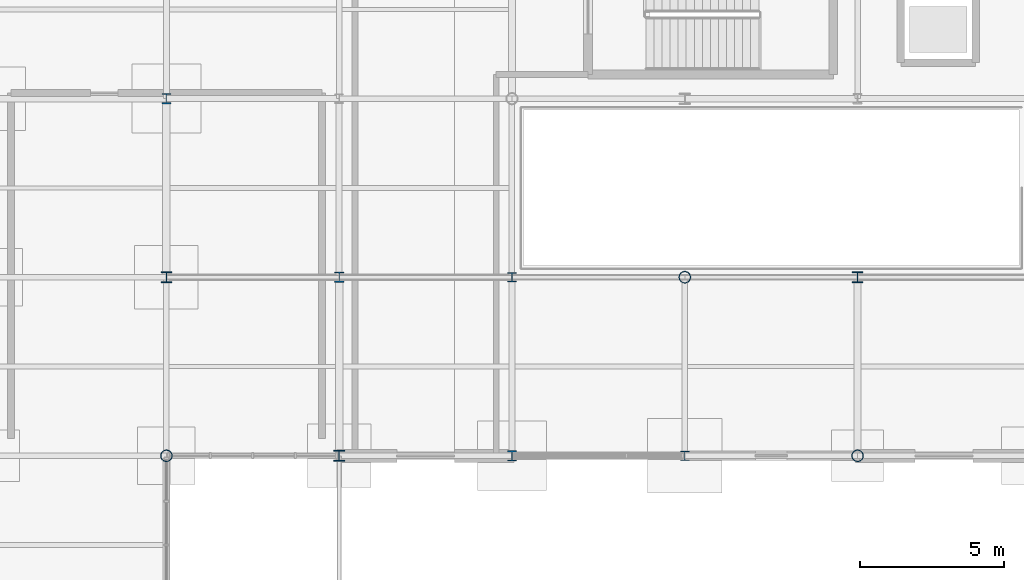
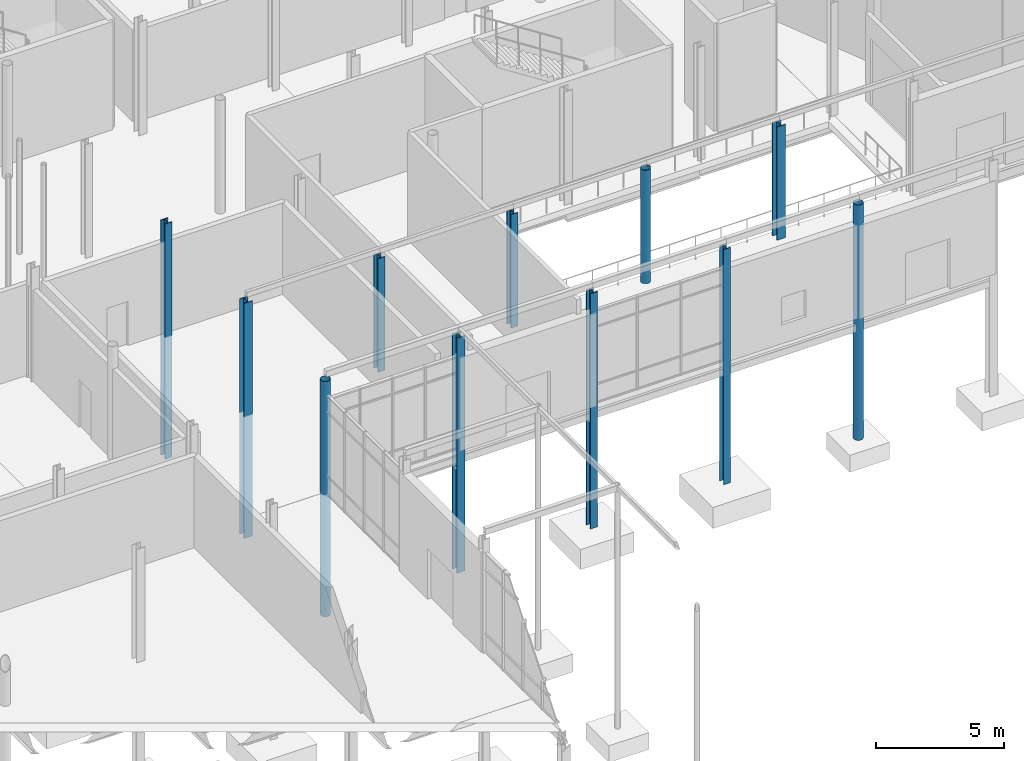
# One storey, part 7 of 98: 11 columns.
"""IFC4 building model written with IfcOpenShell, lengths in metres."""

import ifcopenshell
import ifcopenshell.guid

model = None  # the IFC model being written
_history = None  # IfcOwnerHistory: only IFC2X3 demands one
_inside = {}  # id of a spatial element -> (the spatial element, [elements in it])
_under = {}  # id of a project, library or spatial element -> (it, [spatial elements below it])
_declared = {}  # id of a project -> (the project, [libraries it declares])
_typed = {}  # id of a type object -> (the type object, [elements of that type])
_made_of = {}  # id of a material, layer set ... -> (it, [elements and type objects made of it])


def new_model(schema):
    """Start an empty IFC model of exactly this schema.

    Asked for "IFC4X3", IfcOpenShell would pick the latest addendum, in which some entities
    have other attributes; the version numbers below select the first issue.
    IFC2X3 requires an IfcOwnerHistory on every rooted entity: one is made here for all.
    """
    global model, _history
    if schema == "IFC4X3":
        model = ifcopenshell.file(schema_version=(4, 3, 0, 0))
    else:
        model = ifcopenshell.file(schema=schema)
    _inside.clear()
    _under.clear()
    _declared.clear()
    _typed.clear()
    _made_of.clear()
    _history = None
    if model.schema == "IFC2X3":
        org = make("IfcOrganization", Name="unknown")
        user = make(
            "IfcPersonAndOrganization",
            ThePerson=make("IfcPerson", FamilyName="unknown"),
            TheOrganization=org,
        )
        app = make(
            "IfcApplication",
            ApplicationDeveloper=org,
            Version="unknown",
            ApplicationFullName="unknown",
            ApplicationIdentifier="unknown",
        )
        _history = make(
            "IfcOwnerHistory",
            OwningUser=user,
            OwningApplication=app,
            ChangeAction="ADDED",
            CreationDate=0,
        )
    return model


def make(cls, **values):
    """One entity of the class cls with the attributes given. An attribute that is None is left unset."""
    return model.create_entity(
        cls, **{name: value for name, value in values.items() if value is not None}
    )


def rooted(cls, **values):
    """An entity with a GlobalId (a new one), such as an element, a storey or a relation."""
    return make(cls, GlobalId=ifcopenshell.guid.new(), OwnerHistory=_history, **values)


def si_unit(unit_type, name, prefix=None):
    """IfcSIUnit, for example si_unit("LENGTHUNIT", "METRE", prefix="MILLI")."""
    return make("IfcSIUnit", UnitType=unit_type, Prefix=prefix, Name=name)


def assignment(units):
    """IfcUnitAssignment: the units of a project."""
    return None if units is None else make("IfcUnitAssignment", Units=units)


def point(xyz):
    """IfcCartesianPoint."""
    return None if xyz is None else make("IfcCartesianPoint", Coordinates=xyz)


def direction(xyz):
    """IfcDirection."""
    return None if xyz is None else make("IfcDirection", DirectionRatios=xyz)


def frame(location, z_axis=None, x_axis=None):
    """IfcAxis2Placement3D, a coordinate frame: its origin and axes. An axis left out is left unset."""
    return make(
        "IfcAxis2Placement3D",
        Location=point(location),
        Axis=direction(z_axis),
        RefDirection=direction(x_axis),
    )


def frame_2d(location, x_axis=None):
    """IfcAxis2Placement2D, a coordinate frame in the plane: its origin and x axis."""
    return make(
        "IfcAxis2Placement2D", Location=point(location), RefDirection=direction(x_axis)
    )


def origin():
    """The frame at (0, 0, 0) with its axes left unset."""
    return frame((0.0, 0.0, 0.0))


def origin_2d():
    """The frame at (0, 0) in the plane with its x axis left unset."""
    return frame_2d((0.0, 0.0))


def place(relative_to, where):
    """IfcLocalPlacement: puts the frame where relative to a parent placement (None: the world)."""
    return make(
        "IfcLocalPlacement", PlacementRelTo=relative_to, RelativePlacement=where
    )


def context(
    kind, dimensions, precision=None, world=None, true_north=None, identifier=None
):
    """IfcGeometricRepresentationContext, for example the 3D "Model" context."""
    return make(
        "IfcGeometricRepresentationContext",
        ContextIdentifier=identifier,
        ContextType=kind,
        CoordinateSpaceDimension=dimensions,
        Precision=precision,
        WorldCoordinateSystem=world,
        TrueNorth=true_north,
    )


def subcontext(parent, identifier, kind, view, scale=None):
    """IfcGeometricRepresentationSubContext, for example "Body" below "Model"."""
    return make(
        "IfcGeometricRepresentationSubContext",
        ContextIdentifier=identifier,
        ContextType=kind,
        ParentContext=parent,
        TargetScale=scale,
        TargetView=view,
    )


def project(units=None, contexts=None):
    """IfcProject with its units and contexts."""
    return rooted(
        "IfcProject",
        Name="project",
        RepresentationContexts=contexts,
        UnitsInContext=assignment(units),
    )


def spatial(cls, under=None, at=None, **own):
    """A site, building, storey or space (cls), placed at a placement, below another one or the project."""
    s = rooted(cls, ObjectPlacement=at, **own)
    if under is not None:
        _under.setdefault(under.id(), (under, []))[1].append(s)
    return s


def profile(cls, at=None, kind="AREA", **sizes):
    """A parametric profile (cls). Its sizes go by their IFC names, for example OverallWidth=200.0."""
    return make(cls, ProfileType=kind, Position=at, **sizes)


def hollow_circle(**sizes):
    """IfcCircleHollowProfileDef."""
    return profile("IfcCircleHollowProfileDef", **sizes)


def i_section(**sizes):
    """IfcIShapeProfileDef."""
    return profile("IfcIShapeProfileDef", **sizes)


def extrude(swept, where, along, depth):
    """IfcExtrudedAreaSolid: the profile swept, set in the frame where, extruded along a direction by depth."""
    return make(
        "IfcExtrudedAreaSolid",
        SweptArea=swept,
        Position=where,
        ExtrudedDirection=direction(along),
        Depth=depth,
    )


def shape(context_of_items, identifier, shape_type, items):
    """IfcShapeRepresentation: the items that make up one representation, for example the "Body"."""
    return make(
        "IfcShapeRepresentation",
        ContextOfItems=context_of_items,
        RepresentationIdentifier=identifier,
        RepresentationType=shape_type,
        Items=items,
    )


def material(Name=None, Category=None):
    """IfcMaterial."""
    return make("IfcMaterial", Name=Name, Category=Category)


def material_profile(
    of_material, cross_section, Name=None, Category=None, Priority=None
):
    """IfcMaterialProfile: a cross section and its material."""
    return make(
        "IfcMaterialProfile",
        Name=Name,
        Material=of_material,
        Profile=cross_section,
        Priority=Priority,
        Category=Category,
    )


def profile_set(profiles, Name=None, composite=None):
    """IfcMaterialProfileSet."""
    return make(
        "IfcMaterialProfileSet",
        Name=Name,
        MaterialProfiles=profiles,
        CompositeProfile=composite,
    )


def made_of(thing, what):
    """Note that an element or type object is made of a material, layer set ...; save() writes the relation."""
    if what is not None:
        _made_of.setdefault(what.id(), (what, []))[1].append(thing)
    return thing


def type_object(cls, material=None, **own):
    """A type object (cls), such as IfcWallType, which elements share."""
    return made_of(rooted(cls, **own), material)


def element(
    cls,
    number,
    at=None,
    inside=None,
    cuts=None,
    type_object=None,
    material=None,
    context=None,
    identifier="Body",
    shape_type=None,
    held_by="IfcProductDefinitionShape",
    body=None,
    shapes=None,
    **own,
):
    """One element of the class cls, such as IfcWall. Its Tag is "e" and its number.

    at: its placement. inside: the storey or other place that contains it. cuts: it is an
    opening in that element (IfcRelVoidsElement). A single representation is given by context,
    identifier, shape_type and body (its items); several are given by shapes. held_by: the class
    of the entity that holds the representations. save() writes the other relations.
    """
    e = rooted(cls, Tag="e%d" % number, ObjectPlacement=at, **own)
    if body is not None:
        shapes = [shape(context, identifier, shape_type, body)]
    if shapes is not None:
        e.Representation = make(held_by, Representations=shapes)
    if inside is not None:
        _inside.setdefault(inside.id(), (inside, []))[1].append(e)
    if cuts is not None:
        rooted(
            "IfcRelVoidsElement", RelatingBuildingElement=cuts, RelatedOpeningElement=e
        )
    if type_object is not None:
        _typed.setdefault(type_object.id(), (type_object, []))[1].append(e)
    return made_of(e, material)


def aggregate(whole, parts):
    """IfcRelAggregates: a whole, such as a stair, and the parts it consists of."""
    return rooted("IfcRelAggregates", RelatingObject=whole, RelatedObjects=parts)


def save(model, path):
    """Write the relations noted so far, then the file.

    IfcRelAggregates (storeys below a building ...), IfcRelContainedInSpatialStructure (elements
    in a storey), IfcRelDefinesByType, IfcRelAssociatesMaterial and IfcRelDeclares: one each for
    every whole, place, type object, material and project.
    """
    for whole, parts in _under.values():
        aggregate(whole, parts)
    for where, things in _inside.values():
        rooted(
            "IfcRelContainedInSpatialStructure",
            RelatedElements=things,
            RelatingStructure=where,
        )
    for kind, things in _typed.values():
        rooted("IfcRelDefinesByType", RelatedObjects=things, RelatingType=kind)
    for what, things in _made_of.values():
        rooted("IfcRelAssociatesMaterial", RelatedObjects=things, RelatingMaterial=what)
    for by, libraries in _declared.values():
        rooted("IfcRelDeclares", RelatingContext=by, RelatedDefinitions=libraries)
    model.write(path)


model = new_model("IFC4")

# Units and contexts
model_context = context("Model", 3, precision=1e-05, world=origin(), true_north=direction((0.0, 1.0)))
body_context = subcontext(model_context, "Body", "Model", "MODEL_VIEW")
ifc_project = project(units=[si_unit("LENGTHUNIT", "METRE"), si_unit("AREAUNIT", "SQUARE_METRE"), si_unit("VOLUMEUNIT", "CUBIC_METRE"), si_unit("PLANEANGLEUNIT", "RADIAN"), si_unit("MASSUNIT", "GRAM", prefix="KILO")], contexts=[model_context])

# Site, building, storey
site_placement = place(None, origin())
site = spatial("IfcSite", under=ifc_project, at=site_placement, CompositionType="ELEMENT")
building_placement = place(site_placement, origin())
building = spatial("IfcBuilding", under=site, at=building_placement, Name="Mirzam Square Science Centre", CompositionType="ELEMENT")
storey_placement = place(building_placement, origin())
storey = spatial("IfcBuildingStorey", under=building, at=storey_placement, Name="L00", CompositionType="ELEMENT", Elevation=0.0)

# Columns
ifc_material = material(Name="Steel S355", Category="steel")
ifc_material_profile_1 = material_profile(ifc_material, hollow_circle(Radius=0.203125, WallThickness=0.01611328125, at=origin_2d()), Name="406.4x16.0CHS")
ifc_profile_set_1 = profile_set([ifc_material_profile_1], Name="Steel S355")
column_type_1 = type_object("IfcColumnType", Name="COL-CHS406", PredefinedType="COLUMN", material=ifc_profile_set_1)
column_1_placement = place(storey_placement, frame((30.0, 37.199951171875, -5.800048828125), z_axis=(0.0, 0.0, 1.0), x_axis=(1.0, 0.0, 0.0)))
element("IfcColumn", 1, at=column_1_placement, inside=storey, type_object=column_type_1, Name="L00 column G06-07", PredefinedType="COLUMN", context=body_context, shape_type="SweptSolid", body=[
    extrude(hollow_circle(Radius=0.203125, WallThickness=0.01611328125, at=origin_2d()), origin(), (0.0, 0.0, 1.0), 11.199951171875),
])
column_2_placement = place(storey_placement, frame((48.0, 43.39990234375, 0.0), z_axis=(0.0, 0.0, 1.0), x_axis=(1.0, 0.0, 0.0)))
element("IfcColumn", 2, at=column_2_placement, inside=storey, type_object=column_type_1, Name="L00 column G09-08", PredefinedType="COLUMN", context=body_context, shape_type="SweptSolid", body=[
    extrude(hollow_circle(Radius=0.203125, WallThickness=0.01611328125, at=origin_2d()), origin(), (0.0, 0.0, 1.0), 5.39990234375),
])
column_3_placement = place(storey_placement, frame((54.0, 37.199951171875, -5.800048828125), z_axis=(0.0, 0.0, 1.0), x_axis=(1.0, 0.0, 0.0)))
element("IfcColumn", 3, at=column_3_placement, inside=storey, type_object=column_type_1, Name="L00 column G10-07", PredefinedType="COLUMN", context=body_context, shape_type="SweptSolid", body=[
    extrude(hollow_circle(Radius=0.203125, WallThickness=0.01611328125, at=origin_2d()), origin(), (0.0, 0.0, 1.0), 11.199951171875),
])
ifc_material_profile_2 = material_profile(ifc_material, i_section(OverallWidth=0.314453125, OverallDepth=0.33984375, WebThickness=0.01904296875, FlangeThickness=0.031494140625, FilletRadius=0.01513671875, at=origin_2d()), Name="305x305x198UC")
ifc_profile_set_2 = profile_set([ifc_material_profile_2], Name="Steel S355")
column_type_2 = type_object("IfcColumnType", Name="COL-UC305B", PredefinedType="COLUMN", material=ifc_profile_set_2)
column_4_placement = place(storey_placement, frame((42.0, 43.39990234375, 0.0), z_axis=(0.0, 0.0, 1.0), x_axis=(1.0, 0.0, 0.0)))
element("IfcColumn", 4, at=column_4_placement, inside=storey, type_object=column_type_2, Name="L00 column G08-08", PredefinedType="COLUMN", context=body_context, shape_type="SweptSolid", body=[
    extrude(i_section(OverallWidth=0.314453125, OverallDepth=0.33984375, WebThickness=0.01904296875, FlangeThickness=0.031494140625, FilletRadius=0.01513671875, at=origin_2d()), origin(), (0.0, 0.0, 1.0), 5.39990234375),
])
column_5_placement = place(storey_placement, frame((48.0, 37.199951171875, -5.800048828125), z_axis=(0.0, 0.0, 1.0), x_axis=(1.0, 0.0, 0.0)))
element("IfcColumn", 5, at=column_5_placement, inside=storey, type_object=column_type_2, Name="L00 column G09-07", PredefinedType="COLUMN", context=body_context, shape_type="SweptSolid", body=[
    extrude(i_section(OverallWidth=0.314453125, OverallDepth=0.33984375, WebThickness=0.01904296875, FlangeThickness=0.031494140625, FilletRadius=0.01513671875, at=origin_2d()), origin(), (0.0, 0.0, 1.0), 11.199951171875),
])
ifc_material_profile_3 = material_profile(ifc_material, i_section(OverallWidth=0.318359375, OverallDepth=0.3525390625, WebThickness=0.02294921875, FlangeThickness=0.03759765625, FilletRadius=0.01513671875, at=origin_2d()), Name="305x305x240UC")
ifc_profile_set_3 = profile_set([ifc_material_profile_3], Name="Steel S355")
column_type_3 = type_object("IfcColumnType", Name="COL-UC305C", PredefinedType="COLUMN", material=ifc_profile_set_3)
column_6_placement = place(storey_placement, frame((30.0, 49.60009765625, -5.800048828125), z_axis=(0.0, 0.0, 1.0), x_axis=(1.0, 0.0, 0.0)))
element("IfcColumn", 6, at=column_6_placement, inside=storey, type_object=column_type_3, Name="L00 column G06-09", PredefinedType="COLUMN", context=body_context, shape_type="SweptSolid", body=[
    extrude(i_section(OverallWidth=0.318359375, OverallDepth=0.3525390625, WebThickness=0.02294921875, FlangeThickness=0.03759765625, FilletRadius=0.01513671875, at=origin_2d()), origin(), (0.0, 0.0, 1.0), 11.199951171875),
])
column_7_placement = place(storey_placement, frame((36.0, 43.39990234375, 0.0), z_axis=(0.0, 0.0, 1.0), x_axis=(1.0, 0.0, 0.0)))
element("IfcColumn", 7, at=column_7_placement, inside=storey, type_object=column_type_3, Name="L00 column G07-08", PredefinedType="COLUMN", context=body_context, shape_type="SweptSolid", body=[
    extrude(i_section(OverallWidth=0.318359375, OverallDepth=0.3525390625, WebThickness=0.02294921875, FlangeThickness=0.03759765625, FilletRadius=0.01513671875, at=origin_2d()), origin(), (0.0, 0.0, 1.0), 5.39990234375),
])
column_8_placement = place(storey_placement, frame((42.0, 37.199951171875, -5.800048828125), z_axis=(0.0, 0.0, 1.0), x_axis=(1.0, 0.0, 0.0)))
element("IfcColumn", 8, at=column_8_placement, inside=storey, type_object=column_type_3, Name="L00 column G08-07", PredefinedType="COLUMN", context=body_context, shape_type="SweptSolid", body=[
    extrude(i_section(OverallWidth=0.318359375, OverallDepth=0.3525390625, WebThickness=0.02294921875, FlangeThickness=0.03759765625, FilletRadius=0.01513671875, at=origin_2d()), origin(), (0.0, 0.0, 1.0), 11.199951171875),
])
ifc_material_profile_4 = material_profile(ifc_material, i_section(OverallWidth=0.374755859375, OverallDepth=0.37451171875, WebThickness=0.0166015625, FlangeThickness=0.027099609375, FilletRadius=0.01513671875, at=origin_2d()), Name="356x368x202UC")
ifc_profile_set_4 = profile_set([ifc_material_profile_4], Name="Steel S355")
column_type_4 = type_object("IfcColumnType", Name="COL-UC356A", PredefinedType="COLUMN", material=ifc_profile_set_4)
for number, where, z_axis, x_axis, name in (
    (9, (30.0, 43.39990234375, -5.800048828125), (0.0, 0.0, 1.0), (1.0, 0.0, 0.0), "L00 column G06-08"),
    (10, (36.0, 37.199951171875, -5.800048828125), (0.0, 0.0, 1.0), (1.0, 0.0, 0.0), "L00 column G07-07"),
):
    element("IfcColumn", number, at=place(storey_placement, frame(where, z_axis=z_axis, x_axis=x_axis)), inside=storey, type_object=column_type_4, Name=name, PredefinedType="COLUMN", context=body_context, shape_type="SweptSolid", body=[
        extrude(i_section(OverallWidth=0.374755859375, OverallDepth=0.37451171875, WebThickness=0.0166015625, FlangeThickness=0.027099609375, FilletRadius=0.01513671875, at=origin_2d()), origin(), (0.0, 0.0, 1.0), 11.199951171875),
    ])
column_9_placement = place(storey_placement, frame((54.0, 43.39990234375, 0.0), z_axis=(0.0, 0.0, 1.0), x_axis=(1.0, 0.0, 0.0)))
element("IfcColumn", 11, at=column_9_placement, inside=storey, type_object=column_type_4, Name="L00 column G10-08", PredefinedType="COLUMN", context=body_context, shape_type="SweptSolid", body=[
    extrude(i_section(OverallWidth=0.374755859375, OverallDepth=0.37451171875, WebThickness=0.0166015625, FlangeThickness=0.027099609375, FilletRadius=0.01513671875, at=origin_2d()), origin(), (0.0, 0.0, 1.0), 5.39990234375),
])

save(model, "model.ifc")
